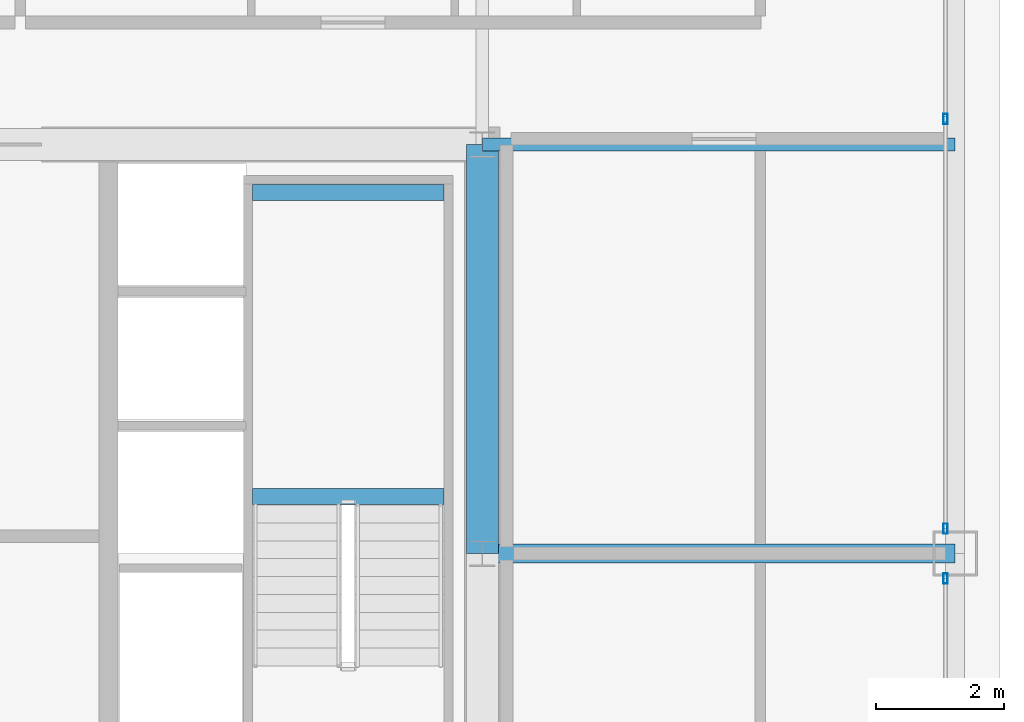
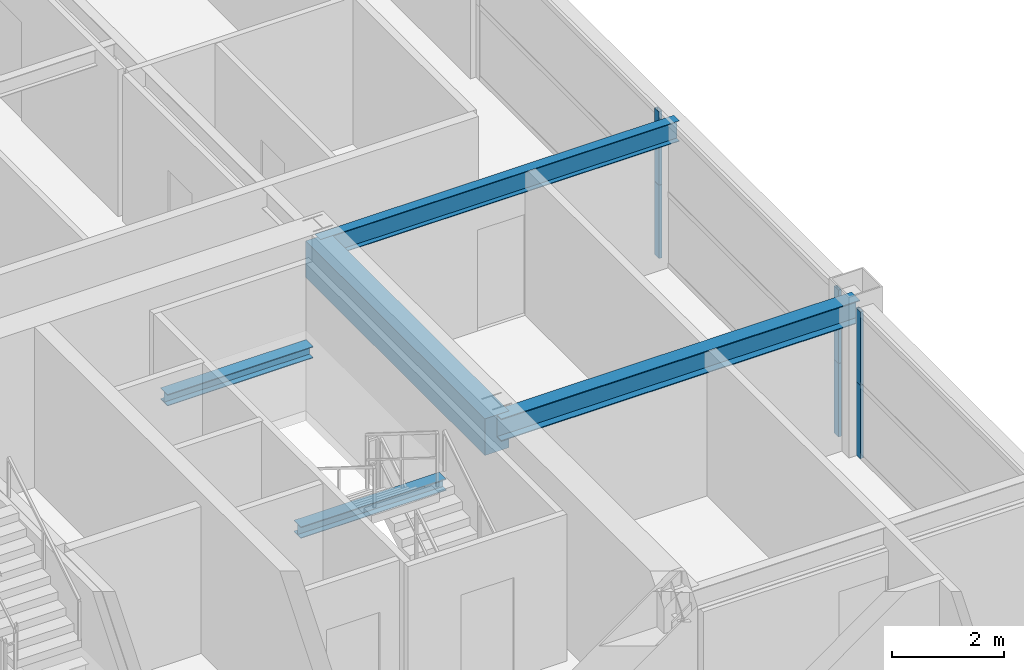
# One storey, part 19 of 36: 6 members, 5 beams, 2 elements without a shape of their own.
"""IFC4 building model written with IfcOpenShell, lengths in metres."""

from ifc_helpers import new_model, si_unit, direction, frame, origin, origin_2d, place, context, subcontext, project, spatial, rectangle, hollow_rectangle, i_section, extrude, source, transform, mapped, material, layer, layer_set, material_profile, profile_set, type_object, element, aggregate, save


model = new_model("IFC4")

# Units and contexts
model_context = context("Model", 3, precision=1e-05, world=origin(), true_north=direction((0.0, 1.0)))
body_context = subcontext(model_context, "Body", "Model", "MODEL_VIEW")
ifc_project = project(units=[si_unit("LENGTHUNIT", "METRE"), si_unit("AREAUNIT", "SQUARE_METRE"), si_unit("VOLUMEUNIT", "CUBIC_METRE"), si_unit("PLANEANGLEUNIT", "RADIAN"), si_unit("MASSUNIT", "GRAM", prefix="KILO"), si_unit("THERMODYNAMICTEMPERATUREUNIT", "KELVIN"), si_unit("POWERUNIT", "WATT")], contexts=[model_context])

# Site, building, storey
site_placement = place(None, origin())
site = spatial("IfcSite", under=ifc_project, at=site_placement, CompositionType="ELEMENT")
building_placement = place(site_placement, origin())
building = spatial("IfcBuilding", under=site, at=building_placement, Name="Yuzanri Waterfront Tower", CompositionType="ELEMENT")
storey_placement = place(building_placement, frame((0.0, 0.0, 255.60009765625)))
storey = spatial("IfcBuildingStorey", under=building, at=storey_placement, Name="L68", CompositionType="ELEMENT", Elevation=255.60009765625)

# Beams
ifc_material_1 = material(Name="Concrete C50", Category="concrete")
ifc_material_profile_1 = material_profile(ifc_material_1, rectangle(XDim=0.5, YDim=0.800048828125, at=origin_2d()), Name="RC 500x800")
ifc_profile_set_1 = profile_set([ifc_material_profile_1], Name="Concrete C50")
beam_type_1 = type_object("IfcBeamType", Name="Core Coupling Lintel Concrete C50 500x800", PredefinedType="LINTEL", material=ifc_profile_set_1)
shared_shape_1 = source(origin(), body_context, "Body", "SweptSolid", [
    extrude(rectangle(XDim=0.5, YDim=0.800048828125, at=origin_2d()), origin(), (0.0, 0.0, 1.0), 6.39990234375),
])
beam_1_placement = place(storey_placement, frame((50.199951171875, 25.800048828125, 2.7998046875), z_axis=(0.0, 1.0, 0.0), x_axis=(-1.0, 0.0, 0.0)))
element("IfcBeam", 1, at=beam_1_placement, inside=storey, type_object=beam_type_1, Name="L68 Core Tie Beam CE2", PredefinedType="LINTEL", context=body_context, shape_type="MappedRepresentation", body=[
    mapped(shared_shape_1, transform((0.0, 0.0, 0.0), scale=1.0)),
])
ifc_material_2 = material(Name="Steel Q355B", Category="steel")
ifc_material_profile_2 = material_profile(ifc_material_2, i_section(OverallWidth=0.300048828125, OverallDepth=0.488037109375, WebThickness=0.010986328125, FlangeThickness=0.01806640625, at=origin_2d()), Name="HM 488x300x11x18")
ifc_profile_set_2 = profile_set([ifc_material_profile_2], Name="Steel Q355B")
beam_type_2 = type_object("IfcBeamType", Name="Primary Floor Girder Q355B HM 488x300", PredefinedType="BEAM", material=ifc_profile_set_2)
shared_shape_2 = source(origin(), body_context, "Body", "SweptSolid", [
    extrude(i_section(OverallWidth=0.300048828125, OverallDepth=0.488037109375, WebThickness=0.010986328125, FlangeThickness=0.01806640625, at=origin_2d()), origin(), (0.0, 0.0, 1.0), 7.400146484375),
])
beam_2_placement = place(storey_placement, frame((50.199951171875, 25.800048828125, 2.955810546875), z_axis=(1.0, 0.0, 0.0), x_axis=(0.0, 1.0, 0.0)))
element("IfcBeam", 2, at=beam_2_placement, inside=storey, type_object=beam_type_2, Name="L68 East Grid Girder", PredefinedType="BEAM", context=body_context, shape_type="MappedRepresentation", body=[
    mapped(shared_shape_2, transform((0.0, 0.0, 0.0), scale=1.0)),
])
ifc_material_3 = material(Name="Steel Q355B", Category="steel")
ifc_material_profile_3 = material_profile(ifc_material_3, i_section(OverallWidth=0.199951171875, OverallDepth=0.449951171875, WebThickness=0.009033203125, FlangeThickness=0.013916015625, at=origin_2d()), Name="HN 450x200x9x14")
ifc_profile_set_3 = profile_set([ifc_material_profile_3], Name="Steel Q355B")
beam_type_3 = type_object("IfcBeamType", Name="Secondary Floor Beam Q355B HN 450x200", PredefinedType="BEAM", material=ifc_profile_set_3)
shared_shape_3 = source(origin(), body_context, "Body", "SweptSolid", [
    extrude(i_section(OverallWidth=0.199951171875, OverallDepth=0.449951171875, WebThickness=0.009033203125, FlangeThickness=0.013916015625, at=origin_2d()), origin(), (0.0, 0.0, 1.0), 7.400146484375),
])
beam_3_placement = place(storey_placement, frame((50.199951171875, 32.199951171875, 2.974853515625), z_axis=(1.0, 0.0, 0.0), x_axis=(0.0, 1.0, 0.0)))
element("IfcBeam", 3, at=beam_3_placement, inside=storey, type_object=beam_type_3, Name="L68 East-North Core Line Beam", PredefinedType="BEAM", context=body_context, shape_type="MappedRepresentation", body=[
    mapped(shared_shape_3, transform((0.0, 0.0, 0.0), scale=1.0)),
])

# Curtain wall, member
ifc_material_4 = material(Name="Anodized Architectural Bronze", Category="metal")
ifc_layer = layer(ifc_material_4, 0.159912109375)
ifc_layer_set = layer_set([ifc_layer], Name="Anodized Architectural Bronze")
curtain_wall_type = type_object("IfcCurtainWallType", Name="Anodized Bronze Mid-Rise Residential Acoustic Unitized Curtain Wall 7200", PredefinedType="NOTDEFINED", material=ifc_layer_set)
curtain_wall_1_placement = place(storey_placement, origin())
curtain_wall_1 = element("IfcCurtainWall", 4, at=curtain_wall_1_placement, inside=storey, type_object=curtain_wall_type, Name="L68 Curtain Wall CW-L68-EL", PredefinedType="NOTDEFINED")
ifc_material_5 = material(Name="Anodized Architectural Bronze", Category="metal")
ifc_material_profile_4 = material_profile(ifc_material_5, hollow_rectangle(XDim=0.06494140625, YDim=0.159912109375, WallThickness=0.00341796875, at=origin_2d()), Name="CWM 65x160")
ifc_profile_set_4 = profile_set([ifc_material_profile_4], Name="Anodized Architectural Bronze")
member_type = type_object("IfcMemberType", Name="Anodized Bronze Upper-Zone Curtain-Wall Mullion 65x160", PredefinedType="MULLION", material=ifc_profile_set_4)
shared_shape_4 = source(origin(), body_context, "Body", "SweptSolid", [
    extrude(hollow_rectangle(XDim=0.06494140625, YDim=0.159912109375, WallThickness=0.00341796875, at=origin_2d()), origin(), (0.0, 0.0, 1.0), 1.597900390625),
])
member_1_placement = place(storey_placement, frame((57.449951171875, 25.409912109375, 0.0), z_axis=(0.0, 0.0, 1.0), x_axis=(1.0, 0.0, 0.0)))
member_1 = element("IfcMember", 5, at=member_1_placement, type_object=member_type, Name="CW-L68-EL Lower Mullion 02", PredefinedType="MULLION", context=body_context, shape_type="MappedRepresentation", body=[
    mapped(shared_shape_4, transform((0.0, 0.0, 0.0), scale=1.0)),
])

# Curtain wall, members
curtain_wall_2_placement = place(storey_placement, origin())
curtain_wall_2 = element("IfcCurtainWall", 6, at=curtain_wall_2_placement, inside=storey, type_object=curtain_wall_type, Name="L68 Curtain Wall CW-L68-ER", PredefinedType="NOTDEFINED")
member_2_placement = place(storey_placement, frame((57.449951171875, 26.18994140625, 0.0), z_axis=(0.0, 0.0, 1.0), x_axis=(1.0, 0.0, 0.0)))
member_2 = element("IfcMember", 7, at=member_2_placement, type_object=member_type, Name="CW-L68-ER Lower Mullion 00", PredefinedType="MULLION", context=body_context, shape_type="MappedRepresentation", body=[
    mapped(shared_shape_4, transform((0.0, 0.0, 0.0), scale=1.0)),
])
member_3_placement = place(storey_placement, frame((57.449951171875, 32.60009765625, 0.0), z_axis=(0.0, 0.0, 1.0), x_axis=(1.0, 0.0, 0.0)))
member_3 = element("IfcMember", 8, at=member_3_placement, type_object=member_type, Name="CW-L68-ER Lower Mullion 01", PredefinedType="MULLION", context=body_context, shape_type="MappedRepresentation", body=[
    mapped(shared_shape_4, transform((0.0, 0.0, 0.0), scale=1.0)),
])

# Member
shared_shape_5 = source(origin(), body_context, "Body", "SweptSolid", [
    extrude(hollow_rectangle(XDim=0.06494140625, YDim=0.159912109375, WallThickness=0.00341796875, at=origin_2d()), origin(), (0.0, 0.0, 1.0), 1.59814453125),
])
member_4_placement = place(storey_placement, frame((57.449951171875, 25.409912109375, 1.601806640625), z_axis=(0.0, 0.0, 1.0), x_axis=(1.0, 0.0, 0.0)))
member_4 = element("IfcMember", 9, at=member_4_placement, type_object=member_type, Name="CW-L68-EL Upper Mullion 02", PredefinedType="MULLION", context=body_context, shape_type="MappedRepresentation", body=[
    mapped(shared_shape_5, transform((0.0, 0.0, 0.0), scale=1.0)),
])

aggregate(curtain_wall_1, [member_1, member_4])

member_5_placement = place(storey_placement, frame((57.449951171875, 26.18994140625, 1.601806640625), z_axis=(0.0, 0.0, 1.0), x_axis=(1.0, 0.0, 0.0)))
member_5 = element("IfcMember", 10, at=member_5_placement, type_object=member_type, Name="CW-L68-ER Upper Mullion 00", PredefinedType="MULLION", context=body_context, shape_type="MappedRepresentation", body=[
    mapped(shared_shape_5, transform((0.0, 0.0, 0.0), scale=1.0)),
])

member_6_placement = place(storey_placement, frame((57.449951171875, 32.60009765625, 1.601806640625), z_axis=(0.0, 0.0, 1.0), x_axis=(1.0, 0.0, 0.0)))
member_6 = element("IfcMember", 11, at=member_6_placement, type_object=member_type, Name="CW-L68-ER Upper Mullion 01", PredefinedType="MULLION", context=body_context, shape_type="MappedRepresentation", body=[
    mapped(shared_shape_5, transform((0.0, 0.0, 0.0), scale=1.0)),
])

aggregate(curtain_wall_2, [member_2, member_5, member_3, member_6])

# Beams
ifc_material_6 = material(Name="Steel Q355B", Category="steel")
ifc_material_profile_5 = material_profile(ifc_material_6, i_section(OverallWidth=0.25, OverallDepth=0.25, WebThickness=0.009033203125, FlangeThickness=0.013916015625, at=origin_2d()), Name="HW 250x250x9x14")
ifc_profile_set_5 = profile_set([ifc_material_profile_5], Name="Steel Q355B")
beam_type_4 = type_object("IfcBeamType", Name="Stair Landing Support Beam Q355B HW 250x250", PredefinedType="BEAM", material=ifc_profile_set_5)
shared_shape_6 = source(origin(), body_context, "Body", "SweptSolid", [
    extrude(i_section(OverallWidth=0.25, OverallDepth=0.25, WebThickness=0.009033203125, FlangeThickness=0.013916015625, at=origin_2d()), origin(), (0.0, 0.0, 1.0), 3.0),
])
for number, where, z_axis, x_axis, name in (
    (12, (46.60009765625, 26.68994140625, 1.4248046875), (1.0, 0.0, 0.0), (0.0, 1.0, 0.0), "L68 Stair Landing Support Beam ST-02-L68-L1-1"),
    (13, (46.60009765625, 31.449951171875, 1.4248046875), (1.0, 0.0, 0.0), (0.0, 1.0, 0.0), "L68 Stair Landing Support Beam ST-02-L68-L1-2"),
):
    element("IfcBeam", number, at=place(storey_placement, frame(where, z_axis=z_axis, x_axis=x_axis)), inside=storey, type_object=beam_type_4, Name=name, PredefinedType="BEAM", context=body_context, shape_type="MappedRepresentation", body=[
        mapped(shared_shape_6, transform((0.0, 0.0, 0.0), scale=1.0)),
    ])

save(model, "model.ifc")
